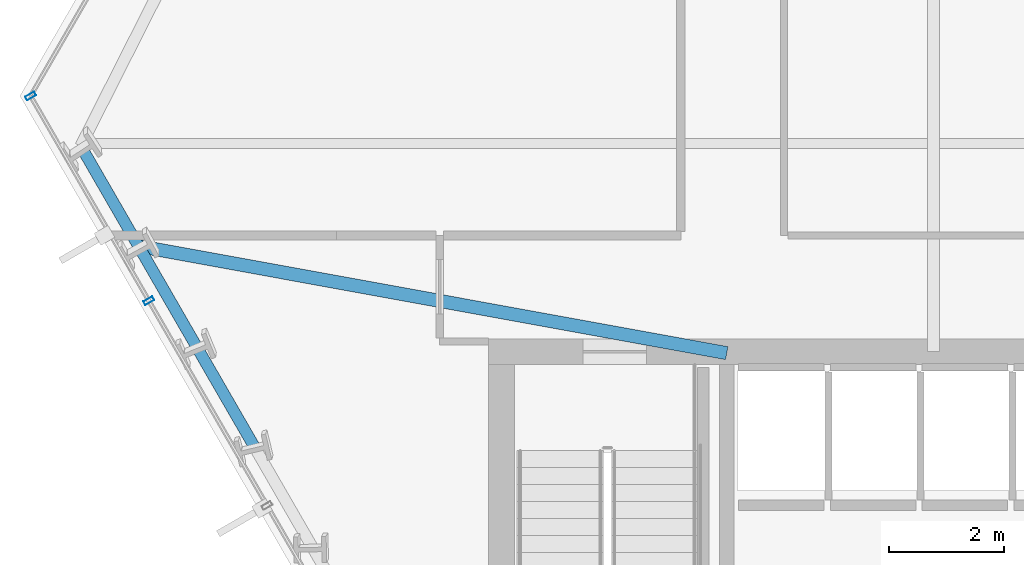
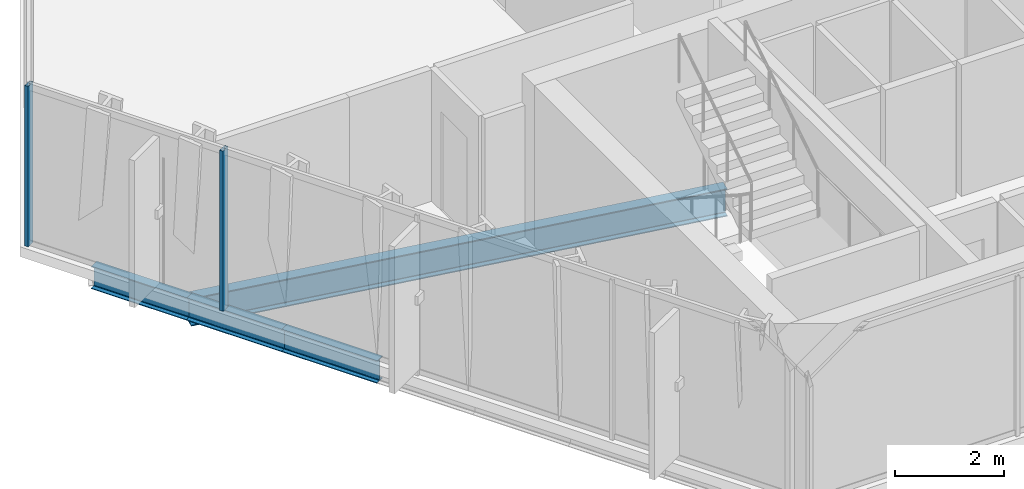
# One storey, part 4 of 33: 4 beams, 2 members, 1 element without a shape of its own.
"""IFC4 building model written with IfcOpenShell, lengths in metres."""

from ifc_helpers import new_model, si_unit, direction, frame, origin, origin_2d, place, context, subcontext, project, spatial, hollow_rectangle, i_section, extrude, material, layer, layer_set, material_profile, profile_set, type_object, element, aggregate, save


model = new_model("IFC4")

# Units and contexts
model_context = context("Model", 3, precision=1e-05, world=origin(), true_north=direction((0.0, 1.0)))
body_context = subcontext(model_context, "Body", "Model", "MODEL_VIEW")
ifc_project = project(units=[si_unit("LENGTHUNIT", "METRE"), si_unit("AREAUNIT", "SQUARE_METRE"), si_unit("VOLUMEUNIT", "CUBIC_METRE"), si_unit("PLANEANGLEUNIT", "RADIAN"), si_unit("MASSUNIT", "GRAM", prefix="KILO")], contexts=[model_context])

# Site, building, storey
site_placement = place(None, origin())
site = spatial("IfcSite", under=ifc_project, at=site_placement, CompositionType="ELEMENT")
building_placement = place(site_placement, origin())
building = spatial("IfcBuilding", under=site, at=building_placement, Name="Ndaravel Arena Tower", CompositionType="ELEMENT")
storey_placement = place(building_placement, frame((0.0, 0.0, 43.60009765625)))
storey = spatial("IfcBuildingStorey", under=building, at=storey_placement, Name="L08", CompositionType="ELEMENT", Elevation=43.60009765625)

# Beams
ifc_material_1 = material(Name="Steel S355", Category="steel")
ifc_material_profile_1 = material_profile(ifc_material_1, i_section(OverallWidth=0.230224609375, OverallDepth=0.6171875, WebThickness=0.01318359375, FlangeThickness=0.022216796875, FilletRadius=0.0126953125, at=origin_2d()), Name="UB 610x229x140")
ifc_profile_set_1 = profile_set([ifc_material_profile_1], Name="Steel S355")
beam_type_1 = type_object("IfcBeamType", Name="BM-GIRD-UB610B", PredefinedType="BEAM", material=ifc_profile_set_1)
beam_1_placement = place(storey_placement, frame((20.3525390625, 16.814453125, -0.52880859375), z_axis=(0.983847775726, -0.179007134493, 0.0), x_axis=(0.179007134493, 0.983847775726, 0.0)))
element("IfcBeam", 1, at=beam_1_placement, inside=storey, type_object=beam_type_1, Name="L08 Radial Floor Girder FG-21", PredefinedType="BEAM", context=body_context, shape_type="SweptSolid", body=[
    extrude(i_section(OverallWidth=0.230224609375, OverallDepth=0.6171875, WebThickness=0.01318359375, FlangeThickness=0.022216796875, FilletRadius=0.0126953125, at=origin_2d()), origin(), (0.0, 0.0, 1.0), 10.415771484375),
])
ifc_material_2 = material(Name="Steel S355", Category="steel")
ifc_material_profile_2 = material_profile(ifc_material_2, i_section(OverallWidth=0.199951171875, OverallDepth=0.5, WebThickness=0.01025390625, FlangeThickness=0.01611328125, FilletRadius=0.02099609375, at=origin_2d()), Name="IPE 500")
ifc_profile_set_2 = profile_set([ifc_material_profile_2], Name="Steel S355")
beam_type_2 = type_object("IfcBeamType", Name="BM-SPAN-IPE500", PredefinedType="SPANDREL", material=ifc_profile_set_2)
beam_2_placement = place(storey_placement, frame((19.345947265625, 18.55810546875, -0.47021484375), z_axis=(0.499960381356, -0.866048276411, 0.0), x_axis=(0.866048276411, 0.499960381356, 0.0)))
element("IfcBeam", 2, at=beam_2_placement, inside=storey, type_object=beam_type_2, Name="L08 Perimeter Spandrel Beam SP-20", PredefinedType="SPANDREL", context=body_context, shape_type="SweptSolid", body=[
    extrude(i_section(OverallWidth=0.199951171875, OverallDepth=0.5, WebThickness=0.01025390625, FlangeThickness=0.01611328125, FilletRadius=0.02099609375, at=origin_2d()), origin(), (0.0, 0.0, 1.0), 2.013427734375),
])
beam_3_placement = place(storey_placement, frame((20.3525390625, 16.814453125, -0.47021484375), z_axis=(0.499998820369, -0.866026084844, 0.0), x_axis=(0.866026084844, 0.499998820369, 0.0)))
element("IfcBeam", 3, at=beam_3_placement, inside=storey, type_object=beam_type_2, Name="L08 Perimeter Spandrel Beam SP-21", PredefinedType="SPANDREL", context=body_context, shape_type="SweptSolid", body=[
    extrude(i_section(OverallWidth=0.199951171875, OverallDepth=0.5, WebThickness=0.01025390625, FlangeThickness=0.01611328125, FilletRadius=0.02099609375, at=origin_2d()), origin(), (0.0, 0.0, 1.0), 2.013671875),
])
beam_4_placement = place(storey_placement, frame((21.359375, 15.070556640625, -0.47021484375), z_axis=(0.500051323872, -0.865995769906, 0.0), x_axis=(0.865995769906, 0.500051323872, 0.0)))
element("IfcBeam", 4, at=beam_4_placement, inside=storey, type_object=beam_type_2, Name="L08 Perimeter Spandrel Beam SP-22", PredefinedType="SPANDREL", context=body_context, shape_type="SweptSolid", body=[
    extrude(i_section(OverallWidth=0.199951171875, OverallDepth=0.5, WebThickness=0.01025390625, FlangeThickness=0.01611328125, FilletRadius=0.02099609375, at=origin_2d()), origin(), (0.0, 0.0, 1.0), 2.013427734375),
])

# Curtain wall, members
ifc_material_3 = material(Name="Aluminium", Category="aluminium")
ifc_layer = layer(ifc_material_3, 0.179931640625)
ifc_layer_set = layer_set([ifc_layer], Name="Aluminium")
curtain_wall_type = type_object("IfcCurtainWallType", Name="CW-SYS-02", PredefinedType="NOTDEFINED", material=ifc_layer_set)
curtain_wall_placement = place(storey_placement, origin())
curtain_wall = element("IfcCurtainWall", 5, at=curtain_wall_placement, inside=storey, type_object=curtain_wall_type, Name="L08 Faceted Crystal Curtain Wall CW-L08-E06", PredefinedType="NOTDEFINED")
ifc_material_4 = material(Name="Aluminium", Category="aluminium")
ifc_material_profile_3 = material_profile(ifc_material_4, hollow_rectangle(XDim=0.074951171875, YDim=0.179931640625, WallThickness=0.00390625, at=origin_2d()), Name="CW MULLION 75x180x4")
ifc_profile_set_3 = profile_set([ifc_material_profile_3], Name="Aluminium")
member_type = type_object("IfcMemberType", Name="MEM-CW-MUL180", PredefinedType="MULLION", material=ifc_profile_set_3)
member_1_placement = place(storey_placement, frame((18.472900390625, 19.429931640625, 0.0), z_axis=(0.0, 0.0, 1.0), x_axis=(0.5, -0.866025403784, 0.0)))
member_1 = element("IfcMember", 6, at=member_1_placement, type_object=member_type, Name="CW-L08-E06 Mullion 00", PredefinedType="MULLION", context=body_context, shape_type="SweptSolid", body=[
    extrude(hollow_rectangle(XDim=0.074951171875, YDim=0.179931640625, WallThickness=0.00390625, at=origin_2d()), origin(), (0.0, 0.0, 1.0), 3.579833984375),
])
member_2_placement = place(storey_placement, frame((20.53271484375, 15.862548828125, 0.0), z_axis=(0.0, 0.0, 1.0), x_axis=(0.5, -0.866025403784, 0.0)))
member_2 = element("IfcMember", 7, at=member_2_placement, type_object=member_type, Name="CW-L08-E06 Mullion 01", PredefinedType="MULLION", context=body_context, shape_type="SweptSolid", body=[
    extrude(hollow_rectangle(XDim=0.074951171875, YDim=0.179931640625, WallThickness=0.00390625, at=origin_2d()), origin(), (0.0, 0.0, 1.0), 3.579833984375),
])
aggregate(curtain_wall, [member_1, member_2])

save(model, "model.ifc")
